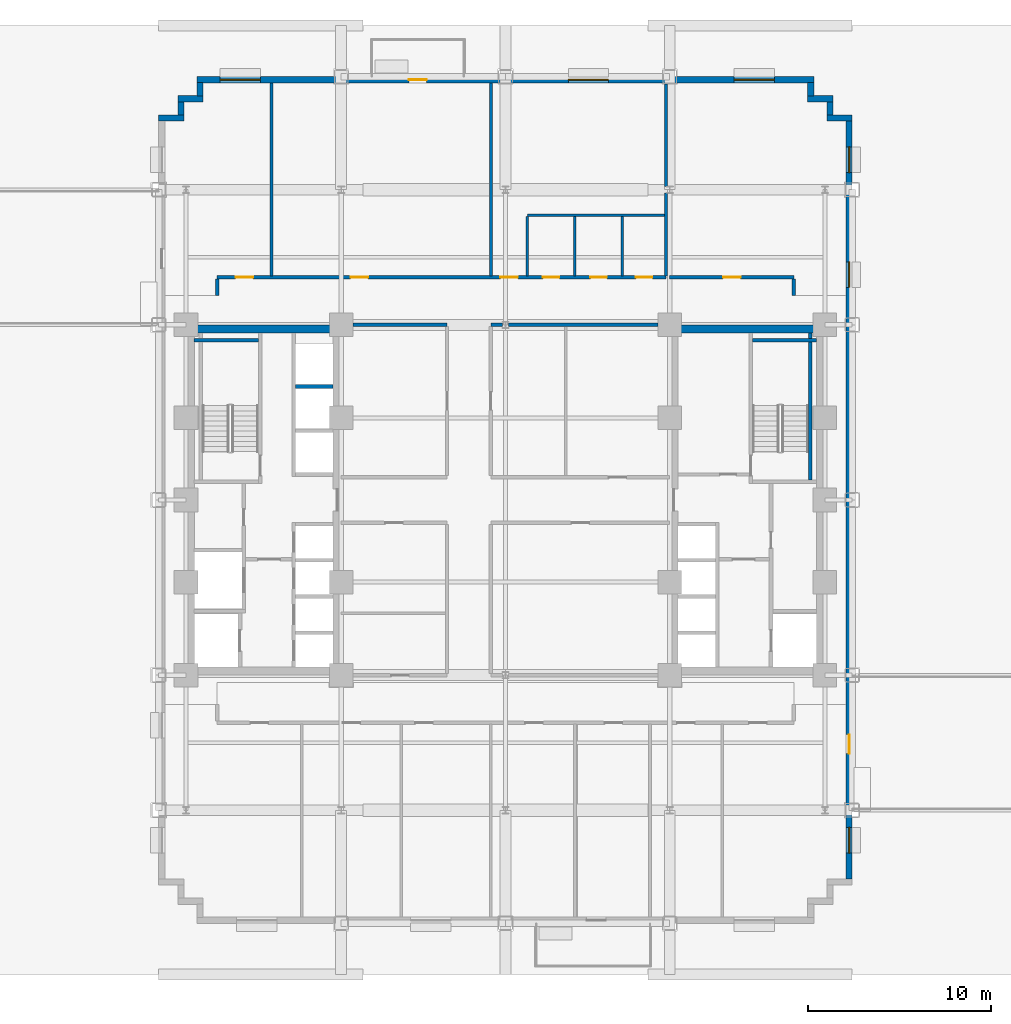
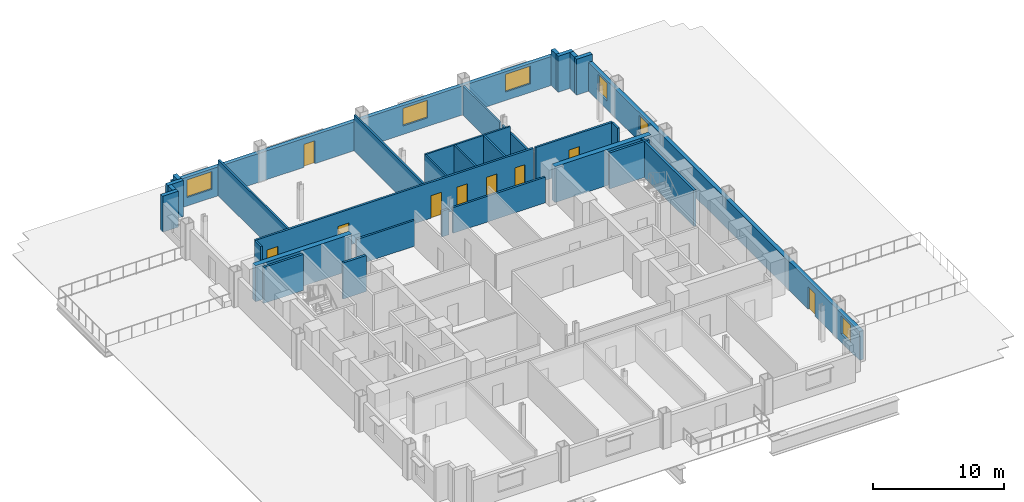
# One storey, part 7 of 13: 31 walls, 9 doors, 6 windows, 15 openings.
"""IFC4 building model written with IfcOpenShell, lengths in metres."""

from ifc_helpers import new_model, si_unit, direction, frame, frame_2d, origin, place, context, subcontext, project, spatial, rectangle, extrude, source, transform, mapped, material, layer, layer_set, type_object, type_shapes, element, fill, save


model = new_model("IFC4")

# Units and contexts
model_context = context("Model", 3, precision=1e-05, world=origin(), true_north=direction((0.0, 1.0)))
body_context = subcontext(model_context, "Body", "Model", "MODEL_VIEW")
ifc_project = project(units=[si_unit("LENGTHUNIT", "METRE"), si_unit("AREAUNIT", "SQUARE_METRE"), si_unit("VOLUMEUNIT", "CUBIC_METRE"), si_unit("PLANEANGLEUNIT", "RADIAN"), si_unit("MASSUNIT", "GRAM", prefix="KILO")], contexts=[model_context])

# Site, building, storey
site_placement = place(None, origin())
site = spatial("IfcSite", under=ifc_project, at=site_placement, CompositionType="ELEMENT")
building_placement = place(site_placement, origin())
building = spatial("IfcBuilding", under=site, at=building_placement, Name="Nuvemarco Arch Tower", CompositionType="ELEMENT")
storey_placement = place(building_placement, frame((0.0, 0.0, 27.60009765625)))
storey = spatial("IfcBuildingStorey", under=building, at=storey_placement, Name="L06", CompositionType="ELEMENT", Elevation=27.60009765625)

# Wall, openings, door, windows
ifc_material_1 = material(Name="Precast concrete C45/55", Category="concrete")
ifc_layer_1 = layer(ifc_material_1, 0.340087890625, Name="EW-LOW-340")
ifc_layer_set_1 = layer_set([ifc_layer_1], Name="Precast concrete C45/55")
wall_type_1 = type_object("IfcWallType", Name="EW-LOW-340", PredefinedType="STANDARD", material=ifc_layer_set_1)
wall_1_placement = place(storey_placement, frame((18.830078125, -20.763916015625, 0.0), z_axis=(0.0, 0.0, 1.0), x_axis=(0.0, 1.0, 0.0)))
wall_1 = element("IfcWall", 1, at=wall_1_placement, inside=storey, type_object=wall_type_1, Name="L06 exterior precast facade wall 6", PredefinedType="STANDARD", context=body_context, shape_type="SweptSolid", body=[
    extrude(rectangle(XDim=41.52783203125, YDim=0.340087890625, at=frame_2d((20.763916015625, 0.0))), origin(), (0.0, 0.0, 1.0), 2.704833984375),
])
opening_1_placement = place(wall_1_placement, frame((7.9140625, 0.0, 0.0), z_axis=(0.0, 0.0, 1.0), x_axis=(-1.0, 0.0, 0.0)))
opening_1 = element("IfcOpeningElement", 2, at=opening_1_placement, cuts=wall_1, Name="Opening ED-5", PredefinedType="OPENING", context=body_context, shape_type="SweptSolid", body=[
    extrude(rectangle(XDim=1.050048828125, YDim=2.10009765625, at=frame_2d((0.52490234375, 1.050048828125))), frame((0.0, 0.179931640625, 0.0), z_axis=(0.0, -1.0, 0.0), x_axis=(1.0, 0.0, 0.0)), (0.0, 0.0, 1.0), 0.360107421875),
])
opening_2_placement = place(wall_1_placement, frame((1.42041015625, 0.0, 0.800048828125)))
opening_2 = element("IfcOpeningElement", 3, at=opening_2_placement, cuts=wall_1, Name="Opening WN-4", PredefinedType="OPENING", context=body_context, shape_type="SweptSolid", body=[
    extrude(rectangle(XDim=1.39990234375, YDim=1.64990234375, at=frame_2d((0.699951171875, 0.824951171875))), frame((0.0, 0.179931640625, 0.0), z_axis=(0.0, -1.0, 0.0), x_axis=(1.0, 0.0, 0.0)), (0.0, 0.0, 1.0), 0.360107421875),
])
opening_3_placement = place(wall_1_placement, frame((32.41650390625, 0.0, 0.800048828125)))
opening_3 = element("IfcOpeningElement", 4, at=opening_3_placement, cuts=wall_1, Name="Opening WN-4", PredefinedType="OPENING", context=body_context, shape_type="SweptSolid", body=[
    extrude(rectangle(XDim=1.39990234375, YDim=1.64990234375, at=frame_2d((0.699951171875, 0.824951171875))), frame((0.0, 0.179931640625, 0.0), z_axis=(0.0, -1.0, 0.0), x_axis=(1.0, 0.0, 0.0)), (0.0, 0.0, 1.0), 0.360107421875),
])
opening_4_placement = place(wall_1_placement, frame((38.70751953125, 0.0, 0.800048828125)))
opening_4 = element("IfcOpeningElement", 5, at=opening_4_placement, cuts=wall_1, Name="Opening WN-4", PredefinedType="OPENING", context=body_context, shape_type="SweptSolid", body=[
    extrude(rectangle(XDim=1.39990234375, YDim=1.64990234375, at=frame_2d((0.699951171875, 0.824951171875))), frame((0.0, 0.179931640625, 0.0), z_axis=(0.0, -1.0, 0.0), x_axis=(1.0, 0.0, 0.0)), (0.0, 0.0, 1.0), 0.360107421875),
])
ifc_material_2 = material(Name="Anodised bronze and laminated glass", Category="glass")
door_type_1 = type_object("IfcDoorType", Name="DR-EXT-TERR", OperationType="NOTDEFINED", PredefinedType="DOOR", material=ifc_material_2)
shared_shape_1 = source(origin(), body_context, "Body", "SweptSolid", [
    extrude(rectangle(XDim=1.050048828125, YDim=2.10009765625, at=frame_2d((0.52490234375, 1.050048828125))), frame((0.0, 0.02490234375, 0.0), z_axis=(0.0, -1.0, 0.0), x_axis=(1.0, 0.0, 0.0)), (0.0, 0.0, 1.0), 0.050048828125),
])
type_shapes(door_type_1, [shared_shape_1])
door_1_placement = place(opening_1_placement, origin())
door_1 = element("IfcDoor", 6, at=door_1_placement, inside=storey, type_object=door_type_1, Name="L06 setback terrace access door", OperationType="SINGLE_SWING_LEFT", OverallHeight=2.10009765625, OverallWidth=1.050048828125, PredefinedType="DOOR", context=body_context, shape_type="MappedRepresentation", body=[
    mapped(shared_shape_1, transform((0.0, 0.0, 0.0), scale=1.0)),
])
fill(opening_1, door_1)
ifc_material_3 = material(Name="Insulated solar-control glass", Category="glass")
window_type_1 = type_object("IfcWindowType", Name="WN-LOW-1400x1650", PartitioningType="SINGLE_PANEL", PredefinedType="WINDOW", material=ifc_material_3)
shared_shape_2 = source(origin(), body_context, "Body", "SweptSolid", [
    extrude(rectangle(XDim=1.39990234375, YDim=1.64990234375, at=frame_2d((0.699951171875, 0.824951171875))), frame((0.0, 0.030029296875, 0.0), z_axis=(0.0, -1.0, 0.0), x_axis=(1.0, 0.0, 0.0)), (0.0, 0.0, 1.0), 0.06005859375),
])
type_shapes(window_type_1, [shared_shape_2])
window_1_placement = place(opening_2_placement, origin())
window_1 = element("IfcWindow", 7, at=window_1_placement, inside=storey, type_object=window_type_1, Name="L06 punched facade window 1", OverallHeight=1.64990234375, OverallWidth=1.39990234375, PartitioningType="SINGLE_PANEL", PredefinedType="WINDOW", context=body_context, shape_type="MappedRepresentation", body=[
    mapped(shared_shape_2, transform((0.0, 0.0, 0.0), scale=1.0)),
])
fill(opening_2, window_1)
window_2_placement = place(opening_3_placement, origin())
window_2 = element("IfcWindow", 8, at=window_2_placement, inside=storey, type_object=window_type_1, Name="L06 punched facade window 7", OverallHeight=1.64990234375, OverallWidth=1.39990234375, PartitioningType="SINGLE_PANEL", PredefinedType="WINDOW", context=body_context, shape_type="MappedRepresentation", body=[
    mapped(shared_shape_2, transform((0.0, 0.0, 0.0), scale=1.0)),
])
fill(opening_3, window_2)
window_3_placement = place(opening_4_placement, origin())
window_3 = element("IfcWindow", 9, at=window_3_placement, inside=storey, type_object=window_type_1, Name="L06 punched facade window 8", OverallHeight=1.64990234375, OverallWidth=1.39990234375, PartitioningType="SINGLE_PANEL", PredefinedType="WINDOW", context=body_context, shape_type="MappedRepresentation", body=[
    mapped(shared_shape_2, transform((0.0, 0.0, 0.0), scale=1.0)),
])
fill(opening_4, window_3)

# Walls
wall_2_placement = place(storey_placement, frame((17.610107421875, 20.929931640625, 0.0), z_axis=(0.0, 0.0, 1.0), x_axis=(1.0, 0.0, 0.0)))
element("IfcWall", 10, at=wall_2_placement, inside=storey, type_object=wall_type_1, Name="L06 exterior precast facade wall 7", PredefinedType="STANDARD", context=body_context, shape_type="SweptSolid", body=[
    extrude(rectangle(XDim=1.389892578125, YDim=0.340087890625, at=frame_2d((0.69482421875, 0.0))), origin(), (0.0, 0.0, 1.0), 3.35986328125),
])
wall_3_placement = place(storey_placement, frame((17.780029296875, 21.095947265625, 0.0), z_axis=(0.0, 0.0, 1.0), x_axis=(0.0, 1.0, 0.0)))
element("IfcWall", 11, at=wall_3_placement, inside=storey, type_object=wall_type_1, Name="L06 exterior precast facade wall 8", PredefinedType="STANDARD", context=body_context, shape_type="SweptSolid", body=[
    extrude(rectangle(XDim=0.718017578125, YDim=0.340087890625, at=frame_2d((0.35888671875, 0.0))), origin(), (0.0, 0.0, 1.0), 3.35986328125),
])
wall_4_placement = place(storey_placement, frame((16.56005859375, 21.97998046875, 0.0), z_axis=(0.0, 0.0, 1.0), x_axis=(1.0, 0.0, 0.0)))
element("IfcWall", 12, at=wall_4_placement, inside=storey, type_object=wall_type_1, Name="L06 exterior precast facade wall 9", PredefinedType="STANDARD", context=body_context, shape_type="SweptSolid", body=[
    extrude(rectangle(XDim=1.389892578125, YDim=0.340087890625, at=frame_2d((0.69482421875, 0.0))), origin(), (0.0, 0.0, 1.0), 3.35986328125),
])
wall_5_placement = place(storey_placement, frame((16.72998046875, 22.14599609375, 0.0), z_axis=(0.0, 0.0, 1.0), x_axis=(0.0, 1.0, 0.0)))
element("IfcWall", 13, at=wall_5_placement, inside=storey, type_object=wall_type_1, Name="L06 exterior precast facade wall 10", PredefinedType="STANDARD", context=body_context, shape_type="SweptSolid", body=[
    extrude(rectangle(XDim=0.718017578125, YDim=0.340087890625, at=frame_2d((0.35888671875, 0.0))), origin(), (0.0, 0.0, 1.0), 3.35986328125),
])

# Wall, openings, windows, door
wall_6_placement = place(storey_placement, frame((-16.89990234375, 23.030029296875, 0.0), z_axis=(0.0, 0.0, 1.0), x_axis=(1.0, 0.0, 0.0)))
wall_6 = element("IfcWall", 14, at=wall_6_placement, inside=storey, type_object=wall_type_1, Name="L06 exterior precast facade wall 11", PredefinedType="STANDARD", context=body_context, shape_type="SweptSolid", body=[
    extrude(rectangle(XDim=33.7998046875, YDim=0.340087890625, at=frame_2d((16.89990234375, 0.0))), origin(), (0.0, 0.0, 1.0), 2.704833984375),
])
opening_5_placement = place(wall_6_placement, frame((11.60009765625, 0.0, 0.0)))
opening_5 = element("IfcOpeningElement", 15, at=opening_5_placement, cuts=wall_6, Name="Opening ED-6", PredefinedType="OPENING", context=body_context, shape_type="SweptSolid", body=[
    extrude(rectangle(XDim=0.97998046875, YDim=2.14990234375, at=frame_2d((0.489990234375, 1.074951171875))), frame((0.0, 0.179931640625, 0.0), z_axis=(0.0, -1.0, 0.0), x_axis=(1.0, 0.0, 0.0)), (0.0, 0.0, 1.0), 0.360107421875),
])
opening_6_placement = place(wall_6_placement, frame((1.271484375, 0.0, 0.800048828125)))
opening_6 = element("IfcOpeningElement", 16, at=opening_6_placement, cuts=wall_6, Name="Opening WN-3", PredefinedType="OPENING", context=body_context, shape_type="SweptSolid", body=[
    extrude(rectangle(XDim=2.199951171875, YDim=1.64990234375, at=frame_2d((1.10009765625, 0.824951171875))), frame((0.0, 0.179931640625, 0.0), z_axis=(0.0, -1.0, 0.0), x_axis=(1.0, 0.0, 0.0)), (0.0, 0.0, 1.0), 0.360107421875),
])
opening_7_placement = place(wall_6_placement, frame((20.343017578125, 0.0, 0.800048828125)))
opening_7 = element("IfcOpeningElement", 17, at=opening_7_placement, cuts=wall_6, Name="Opening WN-3", PredefinedType="OPENING", context=body_context, shape_type="SweptSolid", body=[
    extrude(rectangle(XDim=2.199951171875, YDim=1.64990234375, at=frame_2d((1.10009765625, 0.824951171875))), frame((0.0, 0.179931640625, 0.0), z_axis=(0.0, -1.0, 0.0), x_axis=(1.0, 0.0, 0.0)), (0.0, 0.0, 1.0), 0.360107421875),
])
opening_8_placement = place(wall_6_placement, frame((29.4287109375, 0.0, 0.800048828125)))
opening_8 = element("IfcOpeningElement", 18, at=opening_8_placement, cuts=wall_6, Name="Opening WN-3", PredefinedType="OPENING", context=body_context, shape_type="SweptSolid", body=[
    extrude(rectangle(XDim=2.199951171875, YDim=1.64990234375, at=frame_2d((1.10009765625, 0.824951171875))), frame((0.0, 0.179931640625, 0.0), z_axis=(0.0, -1.0, 0.0), x_axis=(1.0, 0.0, 0.0)), (0.0, 0.0, 1.0), 0.360107421875),
])
window_type_2 = type_object("IfcWindowType", Name="WN-LOW-2200x1650", PartitioningType="DOUBLE_PANEL_VERTICAL", PredefinedType="WINDOW", material=ifc_material_3)
shared_shape_3 = source(origin(), body_context, "Body", "SweptSolid", [
    extrude(rectangle(XDim=2.199951171875, YDim=1.64990234375, at=frame_2d((1.10009765625, 0.824951171875))), frame((0.0, 0.030029296875, 0.0), z_axis=(0.0, -1.0, 0.0), x_axis=(1.0, 0.0, 0.0)), (0.0, 0.0, 1.0), 0.06005859375),
])
type_shapes(window_type_2, [shared_shape_3])
window_4_placement = place(opening_6_placement, origin())
window_4 = element("IfcWindow", 19, at=window_4_placement, inside=storey, type_object=window_type_2, Name="L06 punched facade window 1", OverallHeight=1.64990234375, OverallWidth=2.199951171875, PartitioningType="SINGLE_PANEL", PredefinedType="WINDOW", context=body_context, shape_type="MappedRepresentation", body=[
    mapped(shared_shape_3, transform((0.0, 0.0, 0.0), scale=1.0)),
])
fill(opening_6, window_4)
window_5_placement = place(opening_7_placement, origin())
window_5 = element("IfcWindow", 20, at=window_5_placement, inside=storey, type_object=window_type_2, Name="L06 punched facade window 5", OverallHeight=1.64990234375, OverallWidth=2.199951171875, PartitioningType="SINGLE_PANEL", PredefinedType="WINDOW", context=body_context, shape_type="MappedRepresentation", body=[
    mapped(shared_shape_3, transform((0.0, 0.0, 0.0), scale=1.0)),
])
fill(opening_7, window_5)
window_6_placement = place(opening_8_placement, origin())
window_6 = element("IfcWindow", 21, at=window_6_placement, inside=storey, type_object=window_type_2, Name="L06 punched facade window 7", OverallHeight=1.64990234375, OverallWidth=2.199951171875, PartitioningType="SINGLE_PANEL", PredefinedType="WINDOW", context=body_context, shape_type="MappedRepresentation", body=[
    mapped(shared_shape_3, transform((0.0, 0.0, 0.0), scale=1.0)),
])
fill(opening_8, window_6)
door_type_2 = type_object("IfcDoorType", Name="DR-EXT-BALC", OperationType="NOTDEFINED", PredefinedType="DOOR", material=ifc_material_2)
shared_shape_4 = source(origin(), body_context, "Body", "SweptSolid", [
    extrude(rectangle(XDim=0.97998046875, YDim=2.14990234375, at=frame_2d((0.489990234375, 1.074951171875))), frame((0.0, 0.02490234375, 0.0), z_axis=(0.0, -1.0, 0.0), x_axis=(1.0, 0.0, 0.0)), (0.0, 0.0, 1.0), 0.050048828125),
])
type_shapes(door_type_2, [shared_shape_4])
door_2_placement = place(opening_5_placement, origin())
door_2 = element("IfcDoor", 22, at=door_2_placement, inside=storey, type_object=door_type_2, Name="L06 tree balcony access door", OperationType="SINGLE_SWING_RIGHT", OverallHeight=2.14990234375, OverallWidth=0.97998046875, PredefinedType="DOOR", context=body_context, shape_type="MappedRepresentation", body=[
    mapped(shared_shape_4, transform((0.0, 0.0, 0.0), scale=1.0)),
])
fill(opening_5, door_2)

# Walls
wall_7_placement = place(storey_placement, frame((-16.72998046875, 22.14599609375, 0.0), z_axis=(0.0, 0.0, 1.0), x_axis=(0.0, 1.0, 0.0)))
element("IfcWall", 23, at=wall_7_placement, inside=storey, type_object=wall_type_1, Name="L06 exterior precast facade wall 12", PredefinedType="STANDARD", context=body_context, shape_type="SweptSolid", body=[
    extrude(rectangle(XDim=0.718017578125, YDim=0.340087890625, at=frame_2d((0.35888671875, 0.0))), origin(), (0.0, 0.0, 1.0), 3.35986328125),
])
wall_8_placement = place(storey_placement, frame((-17.949951171875, 21.97998046875, 0.0), z_axis=(0.0, 0.0, 1.0), x_axis=(1.0, 0.0, 0.0)))
element("IfcWall", 24, at=wall_8_placement, inside=storey, type_object=wall_type_1, Name="L06 exterior precast facade wall 13", PredefinedType="STANDARD", context=body_context, shape_type="SweptSolid", body=[
    extrude(rectangle(XDim=1.389892578125, YDim=0.340087890625, at=frame_2d((0.69482421875, 0.0))), origin(), (0.0, 0.0, 1.0), 3.35986328125),
])
wall_9_placement = place(storey_placement, frame((-17.780029296875, 21.095947265625, 0.0), z_axis=(0.0, 0.0, 1.0), x_axis=(0.0, 1.0, 0.0)))
element("IfcWall", 25, at=wall_9_placement, inside=storey, type_object=wall_type_1, Name="L06 exterior precast facade wall 14", PredefinedType="STANDARD", context=body_context, shape_type="SweptSolid", body=[
    extrude(rectangle(XDim=0.718017578125, YDim=0.340087890625, at=frame_2d((0.35888671875, 0.0))), origin(), (0.0, 0.0, 1.0), 3.35986328125),
])
wall_10_placement = place(storey_placement, frame((-19.0, 20.929931640625, 0.0), z_axis=(0.0, 0.0, 1.0), x_axis=(1.0, 0.0, 0.0)))
element("IfcWall", 26, at=wall_10_placement, inside=storey, type_object=wall_type_1, Name="L06 exterior precast facade wall 15", PredefinedType="STANDARD", context=body_context, shape_type="SweptSolid", body=[
    extrude(rectangle(XDim=1.389892578125, YDim=0.340087890625, at=frame_2d((0.69482421875, 0.0))), origin(), (0.0, 0.0, 1.0), 3.35986328125),
])
ifc_material_4 = material(Name="Concrete C60/75", Category="concrete")
ifc_layer_2 = layer(ifc_material_4, 0.449951171875, Name="WL-CORE-450")
ifc_layer_set_2 = layer_set([ifc_layer_2], Name="Concrete C60/75")
wall_type_2 = type_object("IfcWallType", Name="WL-CORE-450", PredefinedType="SHEAR", material=ifc_layer_set_2)
for number, where, z_axis, x_axis, name in (
    (27, (-17.5, 9.375, 0.0), (0.0, 0.0, 1.0), (1.0, 0.0, 0.0), "L06 W-core shear wall N"),
    (28, (9.0, 9.375, 0.0), (0.0, 0.0, 1.0), (1.0, 0.0, 0.0), "L06 E-core shear wall N"),
):
    element("IfcWall", number, at=place(storey_placement, frame(where, z_axis=z_axis, x_axis=x_axis)), inside=storey, type_object=wall_type_2, Name=name, PredefinedType="SHEAR", context=body_context, shape_type="SweptSolid", body=[
        extrude(rectangle(XDim=8.5, YDim=0.449951171875, at=frame_2d((4.25, 0.0))), origin(), (0.0, 0.0, 1.0), 3.369873046875),
    ])
ifc_material_5 = material(Name="Fire-rated gypsum drywall partition")
ifc_layer_3 = layer(ifc_material_5, 0.179931640625, Name="WL-CORR-180")
ifc_layer_set_3 = layer_set([ifc_layer_3], Name="Fire-rated gypsum drywall partition")
wall_type_3 = type_object("IfcWallType", Name="WL-CORR-180", PredefinedType="PARTITIONING", material=ifc_layer_set_3)
wall_11_placement = place(storey_placement, frame((-8.35400390625, 9.60009765625, 0.0), z_axis=(0.0, 0.0, 1.0), x_axis=(1.0, 0.0, 0.0)))
element("IfcWall", 29, at=wall_11_placement, inside=storey, type_object=wall_type_3, Name="L06 interior wall IW-L06-010", PredefinedType="PARTITIONING", context=body_context, shape_type="SweptSolid", body=[
    extrude(rectangle(XDim=5.154052734375, YDim=0.179931640625, at=frame_2d((2.5771484375, 0.0))), origin(), (0.0, 0.0, 1.0), 2.40478515625),
])
wall_12_placement = place(storey_placement, frame((-0.800048828125, 9.60009765625, 0.0), z_axis=(0.0, 0.0, 1.0), x_axis=(1.0, 0.0, 0.0)))
element("IfcWall", 30, at=wall_12_placement, inside=storey, type_object=wall_type_3, Name="L06 interior wall IW-L06-011", PredefinedType="PARTITIONING", context=body_context, shape_type="SweptSolid", body=[
    extrude(rectangle(XDim=0.6240234375, YDim=0.179931640625, at=frame_2d((0.31201171875, 0.0))), origin(), (0.0, 0.0, 1.0), 2.40478515625),
])
wall_13_placement = place(storey_placement, frame((0.176025390625, 9.60009765625, 0.0), z_axis=(0.0, 0.0, 1.0), x_axis=(1.0, 0.0, 0.0)))
element("IfcWall", 31, at=wall_13_placement, inside=storey, type_object=wall_type_3, Name="L06 interior wall IW-L06-012", PredefinedType="PARTITIONING", context=body_context, shape_type="SweptSolid", body=[
    extrude(rectangle(XDim=8.177978515625, YDim=0.179931640625, at=frame_2d((4.0888671875, 0.0))), origin(), (0.0, 0.0, 1.0), 2.40478515625),
])

# Wall, openings, doors
wall_14_placement = place(storey_placement, frame((-15.800048828125, 12.199951171875, 0.0), z_axis=(0.0, 0.0, 1.0), x_axis=(1.0, 0.0, 0.0)))
wall_14 = element("IfcWall", 32, at=wall_14_placement, inside=storey, type_object=wall_type_3, Name="L06 interior wall IW-L06-013", PredefinedType="PARTITIONING", context=body_context, shape_type="SweptSolid", body=[
    extrude(rectangle(XDim=24.60009765625, YDim=0.179931640625, at=frame_2d((12.300048828125, 0.0))), origin(), (0.0, 0.0, 1.0), 3.35986328125),
])
opening_9_placement = place(wall_14_placement, frame((7.31494140625, 0.0, 0.0)))
opening_9 = element("IfcOpeningElement", 33, at=opening_9_placement, cuts=wall_14, Name="Opening FD-5", PredefinedType="OPENING", context=body_context, shape_type="SweptSolid", body=[
    extrude(rectangle(XDim=0.9599609375, YDim=2.10009765625, at=frame_2d((0.47998046875, 1.050048828125))), frame((0.0, 0.099853515625, 0.0), z_axis=(0.0, -1.0, 0.0), x_axis=(1.0, 0.0, 0.0)), (0.0, 0.0, 1.0), 0.199951171875),
])
opening_10_placement = place(wall_14_placement, frame((1.014892578125, 0.0, 0.0)))
opening_10 = element("IfcOpeningElement", 34, at=opening_10_placement, cuts=wall_14, Name="Opening FD-5", PredefinedType="OPENING", context=body_context, shape_type="SweptSolid", body=[
    extrude(rectangle(XDim=0.9599609375, YDim=2.10009765625, at=frame_2d((0.47998046875, 1.050048828125))), frame((0.0, 0.099853515625, 0.0), z_axis=(0.0, -1.0, 0.0), x_axis=(1.0, 0.0, 0.0)), (0.0, 0.0, 1.0), 0.199951171875),
])
opening_11_placement = place(wall_14_placement, frame((20.449951171875, 0.0, 0.0)))
opening_11 = element("IfcOpeningElement", 35, at=opening_11_placement, cuts=wall_14, Name="Opening ID-3", PredefinedType="OPENING", context=body_context, shape_type="SweptSolid", body=[
    extrude(rectangle(XDim=0.89990234375, YDim=2.10009765625, at=frame_2d((0.449951171875, 1.050048828125))), frame((0.0, 0.099853515625, 0.0), z_axis=(0.0, -1.0, 0.0), x_axis=(1.0, 0.0, 0.0)), (0.0, 0.0, 1.0), 0.199951171875),
])
opening_12_placement = place(wall_14_placement, frame((17.85009765625, 0.0, 0.0)))
opening_12 = element("IfcOpeningElement", 36, at=opening_12_placement, cuts=wall_14, Name="Opening ID-3", PredefinedType="OPENING", context=body_context, shape_type="SweptSolid", body=[
    extrude(rectangle(XDim=0.89990234375, YDim=2.10009765625, at=frame_2d((0.449951171875, 1.050048828125))), frame((0.0, 0.099853515625, 0.0), z_axis=(0.0, -1.0, 0.0), x_axis=(1.0, 0.0, 0.0)), (0.0, 0.0, 1.0), 0.199951171875),
])
opening_13_placement = place(wall_14_placement, frame((22.949951171875, 0.0, 0.0)))
opening_13 = element("IfcOpeningElement", 37, at=opening_13_placement, cuts=wall_14, Name="Opening ID-3", PredefinedType="OPENING", context=body_context, shape_type="SweptSolid", body=[
    extrude(rectangle(XDim=0.89990234375, YDim=2.10009765625, at=frame_2d((0.449951171875, 1.050048828125))), frame((0.0, 0.099853515625, 0.0), z_axis=(0.0, -1.0, 0.0), x_axis=(1.0, 0.0, 0.0)), (0.0, 0.0, 1.0), 0.199951171875),
])
opening_14_placement = place(wall_14_placement, frame((15.52001953125, 0.0, 0.0)))
opening_14 = element("IfcOpeningElement", 38, at=opening_14_placement, cuts=wall_14, Name="Opening FD-5", PredefinedType="OPENING", context=body_context, shape_type="SweptSolid", body=[
    extrude(rectangle(XDim=0.9599609375, YDim=2.10009765625, at=frame_2d((0.47998046875, 1.050048828125))), frame((0.0, 0.099853515625, 0.0), z_axis=(0.0, -1.0, 0.0), x_axis=(1.0, 0.0, 0.0)), (0.0, 0.0, 1.0), 0.199951171875),
])
ifc_material_6 = material(Name="Timber fire door", Category="wood")
door_type_3 = type_object("IfcDoorType", Name="DR-CORR-FD", OperationType="NOTDEFINED", PredefinedType="DOOR", material=ifc_material_6)
shared_shape_5 = source(origin(), body_context, "Body", "SweptSolid", [
    extrude(rectangle(XDim=0.9599609375, YDim=2.10009765625, at=frame_2d((0.47998046875, 1.050048828125))), frame((0.0, 0.02490234375, 0.0), z_axis=(0.0, -1.0, 0.0), x_axis=(1.0, 0.0, 0.0)), (0.0, 0.0, 1.0), 0.050048828125),
])
type_shapes(door_type_3, [shared_shape_5])
door_3_placement = place(opening_9_placement, origin())
door_3 = element("IfcDoor", 39, at=door_3_placement, inside=storey, type_object=door_type_3, Name="L06 door DR-L06-N_2", OperationType="SINGLE_SWING_RIGHT", OverallHeight=2.10009765625, OverallWidth=0.9599609375, PredefinedType="DOOR", context=body_context, shape_type="MappedRepresentation", body=[
    mapped(shared_shape_5, transform((0.0, 0.0, 0.0), scale=1.0)),
])
fill(opening_9, door_3)
door_4_placement = place(opening_10_placement, origin())
door_4 = element("IfcDoor", 40, at=door_4_placement, inside=storey, type_object=door_type_3, Name="L06 door DR-L06-N_1", OperationType="SINGLE_SWING_LEFT", OverallHeight=2.10009765625, OverallWidth=0.9599609375, PredefinedType="DOOR", context=body_context, shape_type="MappedRepresentation", body=[
    mapped(shared_shape_5, transform((0.0, 0.0, 0.0), scale=1.0)),
])
fill(opening_10, door_4)
door_5_placement = place(opening_14_placement, origin())
door_5 = element("IfcDoor", 41, at=door_5_placement, inside=storey, type_object=door_type_3, Name="L06 door DR-L06-N_3", OperationType="SINGLE_SWING_RIGHT", OverallHeight=2.10009765625, OverallWidth=0.9599609375, PredefinedType="DOOR", context=body_context, shape_type="MappedRepresentation", body=[
    mapped(shared_shape_5, transform((0.0, 0.0, 0.0), scale=1.0)),
])
fill(opening_14, door_5)
ifc_material_7 = material(Name="Veneered oak timber fire door", Category="wood")
door_type_4 = type_object("IfcDoorType", Name="DR-WC-ACC", OperationType="NOTDEFINED", PredefinedType="DOOR", material=ifc_material_7)
shared_shape_6 = source(origin(), body_context, "Body", "SweptSolid", [
    extrude(rectangle(XDim=0.89990234375, YDim=2.10009765625, at=frame_2d((0.449951171875, 1.050048828125))), frame((0.0, 0.02490234375, 0.0), z_axis=(0.0, -1.0, 0.0), x_axis=(1.0, 0.0, 0.0)), (0.0, 0.0, 1.0), 0.050048828125),
])
type_shapes(door_type_4, [shared_shape_6])
door_6_placement = place(opening_11_placement, origin())
door_6 = element("IfcDoor", 42, at=door_6_placement, inside=storey, type_object=door_type_4, Name="L06 door DR-L06-WC_F", OperationType="SINGLE_SWING_RIGHT", OverallHeight=2.10009765625, OverallWidth=0.89990234375, PredefinedType="DOOR", context=body_context, shape_type="MappedRepresentation", body=[
    mapped(shared_shape_6, transform((0.0, 0.0, 0.0), scale=1.0)),
])
fill(opening_11, door_6)
door_7_placement = place(opening_12_placement, origin())
door_7 = element("IfcDoor", 43, at=door_7_placement, inside=storey, type_object=door_type_4, Name="L06 door DR-L06-WC_M", OperationType="SINGLE_SWING_LEFT", OverallHeight=2.10009765625, OverallWidth=0.89990234375, PredefinedType="DOOR", context=body_context, shape_type="MappedRepresentation", body=[
    mapped(shared_shape_6, transform((0.0, 0.0, 0.0), scale=1.0)),
])
fill(opening_12, door_7)
door_8_placement = place(opening_13_placement, origin())
door_8 = element("IfcDoor", 44, at=door_8_placement, inside=storey, type_object=door_type_4, Name="L06 door DR-L06-WC_ACC", OperationType="SINGLE_SWING_LEFT", OverallHeight=2.10009765625, OverallWidth=0.89990234375, PredefinedType="DOOR", context=body_context, shape_type="MappedRepresentation", body=[
    mapped(shared_shape_6, transform((0.0, 0.0, 0.0), scale=1.0)),
])
fill(opening_13, door_8)

# Wall, opening, door
wall_15_placement = place(storey_placement, frame((9.0, 12.199951171875, 0.0), z_axis=(0.0, 0.0, 1.0), x_axis=(1.0, 0.0, 0.0)))
wall_15 = element("IfcWall", 45, at=wall_15_placement, inside=storey, type_object=wall_type_3, Name="L06 interior wall IW-L06-014", PredefinedType="PARTITIONING", context=body_context, shape_type="SweptSolid", body=[
    extrude(rectangle(XDim=6.800048828125, YDim=0.179931640625, at=frame_2d((3.39990234375, 0.0))), origin(), (0.0, 0.0, 1.0), 3.35986328125),
])
opening_15_placement = place(wall_15_placement, frame((2.919921875, 0.0, 0.0)))
opening_15 = element("IfcOpeningElement", 46, at=opening_15_placement, cuts=wall_15, Name="Opening FD-5", PredefinedType="OPENING", context=body_context, shape_type="SweptSolid", body=[
    extrude(rectangle(XDim=0.9599609375, YDim=2.10009765625, at=frame_2d((0.47998046875, 1.050048828125))), frame((0.0, 0.099853515625, 0.0), z_axis=(0.0, -1.0, 0.0), x_axis=(1.0, 0.0, 0.0)), (0.0, 0.0, 1.0), 0.199951171875),
])
door_9_placement = place(opening_15_placement, origin())
door_9 = element("IfcDoor", 47, at=door_9_placement, inside=storey, type_object=door_type_3, Name="L06 door DR-L06-N_4", OperationType="SINGLE_SWING_LEFT", OverallHeight=2.10009765625, OverallWidth=0.9599609375, PredefinedType="DOOR", context=body_context, shape_type="MappedRepresentation", body=[
    mapped(shared_shape_5, transform((0.0, 0.0, 0.0), scale=1.0)),
])
fill(opening_15, door_9)

# Walls
for number, where, z_axis, x_axis, name in (
    (48, (-15.800048828125, 11.199951171875, 0.0), (0.0, 0.0, 1.0), (0.0, 1.0, 0.0), "L06 interior wall IW-L06-017"),
    (49, (15.800048828125, 11.199951171875, 0.0), (0.0, 0.0, 1.0), (0.0, 1.0, 0.0), "L06 interior wall IW-L06-037"),
):
    element("IfcWall", number, at=place(storey_placement, frame(where, z_axis=z_axis, x_axis=x_axis)), inside=storey, type_object=wall_type_3, Name=name, PredefinedType="PARTITIONING", context=body_context, shape_type="SweptSolid", body=[
        extrude(rectangle(XDim=0.9140625, YDim=0.179931640625, at=frame_2d((0.45703125, 0.0))), origin(), (0.0, 0.0, 1.0), 3.35986328125),
    ])
ifc_material_8 = material(Name="Concrete C50/60", Category="concrete")
ifc_layer_4 = layer(ifc_material_8, 0.199951171875, Name="WL-SHAFT-220")
ifc_layer_set_4 = layer_set([ifc_layer_4], Name="Concrete C50/60")
wall_type_4 = type_object("IfcWallType", Name="WL-SHAFT-220", PredefinedType="SHEAR", material=ifc_layer_set_4)
wall_16_placement = place(storey_placement, frame((-17.054931640625, 8.75, 0.0), z_axis=(0.0, 0.0, 1.0), x_axis=(1.0, 0.0, 0.0)))
element("IfcWall", 50, at=wall_16_placement, inside=storey, type_object=wall_type_4, Name="L06 structural shaft wall SW-L06-W-ST1N", PredefinedType="SHEAR", context=body_context, shape_type="SweptSolid", body=[
    extrude(rectangle(XDim=3.52001953125, YDim=0.199951171875, at=frame_2d((1.760009765625, 0.0))), origin(), (0.0, 0.0, 1.0), 3.369873046875),
])
wall_17_placement = place(storey_placement, frame((-11.5048828125, 6.219970703125, 0.0), z_axis=(0.0, 0.0, 1.0), x_axis=(1.0, 0.0, 0.0)))
element("IfcWall", 51, at=wall_17_placement, inside=storey, type_object=wall_type_4, Name="L06 structural shaft wall SW-L06-W-PHD3", PredefinedType="SHEAR", context=body_context, shape_type="SweptSolid", body=[
    extrude(rectangle(XDim=2.059814453125, YDim=0.199951171875, at=frame_2d((1.02978515625, 0.0))), origin(), (0.0, 0.0, 1.0), 3.369873046875),
])
wall_18_placement = place(storey_placement, frame((13.534912109375, 8.75, 0.0), z_axis=(0.0, 0.0, 1.0), x_axis=(1.0, 0.0, 0.0)))
element("IfcWall", 52, at=wall_18_placement, inside=storey, type_object=wall_type_4, Name="L06 structural shaft wall SW-L06-E-ST2N", PredefinedType="SHEAR", context=body_context, shape_type="SweptSolid", body=[
    extrude(rectangle(XDim=3.52001953125, YDim=0.199951171875, at=frame_2d((1.760009765625, 0.0))), origin(), (0.0, 0.0, 1.0), 3.369873046875),
])
wall_19_placement = place(storey_placement, frame((16.699951171875, 1.094970703125, 0.0), z_axis=(0.0, 0.0, 1.0), x_axis=(0.0, 1.0, 0.0)))
element("IfcWall", 53, at=wall_19_placement, inside=storey, type_object=wall_type_4, Name="L06 structural shaft wall SW-L06-E-ST2E", PredefinedType="SHEAR", context=body_context, shape_type="SweptSolid", body=[
    extrude(rectangle(XDim=8.06005859375, YDim=0.199951171875, at=frame_2d((4.030029296875, 0.0))), origin(), (0.0, 0.0, 1.0), 3.369873046875),
])
ifc_material_9 = material(Name="Acoustic gypsum drywall partition")
ifc_layer_5 = layer(ifc_material_9, 0.159912109375, Name="WL-TENANT-160")
ifc_layer_set_5 = layer_set([ifc_layer_5], Name="Acoustic gypsum drywall partition")
wall_type_5 = type_object("IfcWallType", Name="WL-TENANT-160", PredefinedType="PARTITIONING", material=ifc_layer_set_5)
for number, where, z_axis, x_axis, name in (
    (54, (-12.81005859375, 12.285888671875, 0.0), (0.0, 0.0, 1.0), (0.0, 1.0, 0.0), "L06 interior wall IW-L06-018"),
    (55, (-0.800048828125, 12.285888671875, 0.0), (0.0, 0.0, 1.0), (0.0, 1.0, 0.0), "L06 interior wall IW-L06-026"),
):
    element("IfcWall", number, at=place(storey_placement, frame(where, z_axis=z_axis, x_axis=x_axis)), inside=storey, type_object=wall_type_5, Name=name, PredefinedType="PARTITIONING", context=body_context, shape_type="SweptSolid", body=[
        extrude(rectangle(XDim=10.57421875, YDim=0.159912109375, at=frame_2d((5.287109375, 0.0))), origin(), (0.0, 0.0, 1.0), 3.35986328125),
    ])
ifc_material_10 = material(Name="Moisture-resistant gypsum partition")
ifc_layer_6 = layer(ifc_material_10, 0.14990234375, Name="WL-WET-150")
ifc_layer_set_6 = layer_set([ifc_layer_6], Name="Moisture-resistant gypsum partition")
wall_type_6 = type_object("IfcWallType", Name="WL-WET-150", PredefinedType="PARTITIONING", material=ifc_layer_set_6)
wall_20_placement = place(storey_placement, frame((1.199951171875, 15.60009765625, 0.0), z_axis=(0.0, 0.0, 1.0), x_axis=(1.0, 0.0, 0.0)))
element("IfcWall", 56, at=wall_20_placement, inside=storey, type_object=wall_type_6, Name="L06 interior wall IW-L06-015", PredefinedType="PARTITIONING", context=body_context, shape_type="SweptSolid", body=[
    extrude(rectangle(XDim=7.529052734375, YDim=0.14990234375, at=frame_2d((3.7646484375, 0.0))), origin(), (0.0, 0.0, 1.0), 3.35986328125),
])
for number, where, z_axis, x_axis, name in (
    (57, (1.199951171875, 12.285888671875, 0.0), (0.0, 0.0, 1.0), (0.0, 1.0, 0.0), "L06 interior wall IW-L06-027"),
    (58, (3.800048828125, 12.285888671875, 0.0), (0.0, 0.0, 1.0), (0.0, 1.0, 0.0), "L06 interior wall IW-L06-030"),
    (59, (6.39990234375, 12.285888671875, 0.0), (0.0, 0.0, 1.0), (0.0, 1.0, 0.0), "L06 interior wall IW-L06-031"),
):
    element("IfcWall", number, at=place(storey_placement, frame(where, z_axis=z_axis, x_axis=x_axis)), inside=storey, type_object=wall_type_6, Name=name, PredefinedType="PARTITIONING", context=body_context, shape_type="SweptSolid", body=[
        extrude(rectangle(XDim=3.2431640625, YDim=0.14990234375, at=frame_2d((1.62158203125, 0.0))), origin(), (0.0, 0.0, 1.0), 3.35986328125),
    ])
wall_21_placement = place(storey_placement, frame((8.800048828125, 12.285888671875, 0.0), z_axis=(0.0, 0.0, 1.0), x_axis=(0.0, 1.0, 0.0)))
element("IfcWall", 60, at=wall_21_placement, inside=storey, type_object=wall_type_6, Name="L06 interior wall IW-L06-033", PredefinedType="PARTITIONING", context=body_context, shape_type="SweptSolid", body=[
    extrude(rectangle(XDim=4.5380859375, YDim=0.14990234375, at=frame_2d((2.26904296875, 0.0))), origin(), (0.0, 0.0, 1.0), 2.73779296875),
])
wall_22_placement = place(storey_placement, frame((8.800048828125, 17.176025390625, 0.0), z_axis=(0.0, 0.0, 1.0), x_axis=(0.0, 1.0, 0.0)))
element("IfcWall", 61, at=wall_22_placement, inside=storey, type_object=wall_type_6, Name="L06 interior wall IW-L06-034", PredefinedType="PARTITIONING", context=body_context, shape_type="SweptSolid", body=[
    extrude(rectangle(XDim=5.6279296875, YDim=0.14990234375, at=frame_2d((2.81396484375, 0.0))), origin(), (0.0, 0.0, 1.0), 2.73779296875),
])

save(model, "model.ifc")
